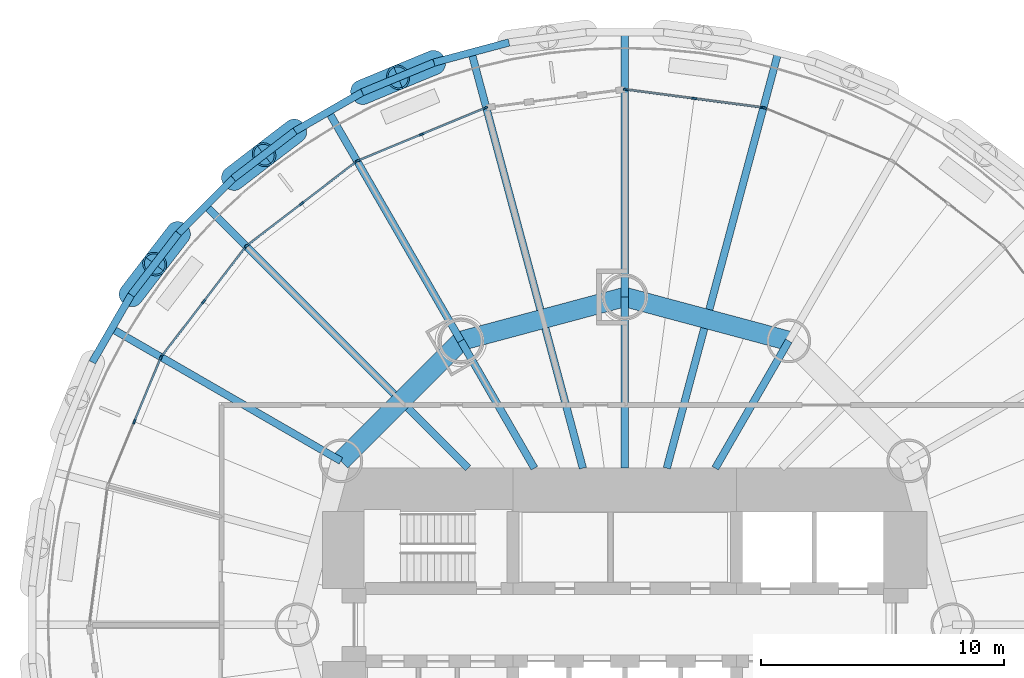
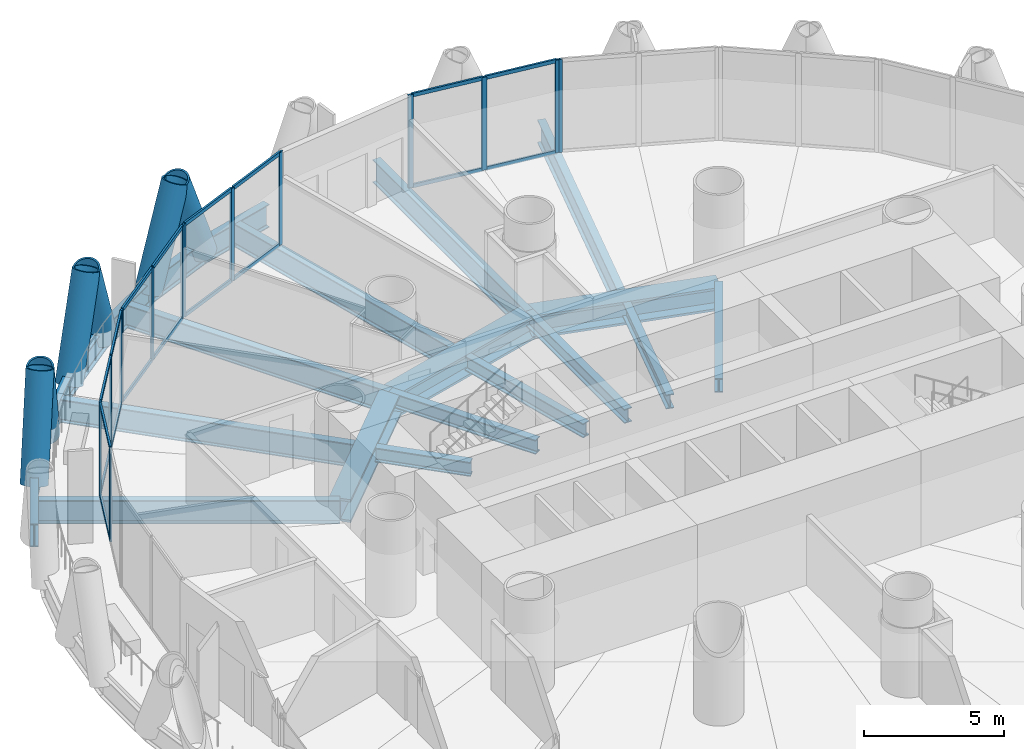
# One storey, part 6 of 16: 39 members, 22 beams, 6 elements without a shape of their own.
"""IFC4 building model written with IfcOpenShell, lengths in metres."""

from ifc_helpers import new_model, si_unit, direction, frame, origin, origin_2d, place, context, subcontext, project, spatial, rectangle, hollow_circle, i_section, extrude, material, material_profile, profile_set, type_object, element, aggregate, save


model = new_model("IFC4")

# Units and contexts
model_context = context("Model", 3, precision=1e-05, world=origin(), true_north=direction((0.0, 1.0)))
body_context = subcontext(model_context, "Body", "Model", "MODEL_VIEW")
ifc_project = project(units=[si_unit("LENGTHUNIT", "METRE"), si_unit("AREAUNIT", "SQUARE_METRE"), si_unit("VOLUMEUNIT", "CUBIC_METRE"), si_unit("PLANEANGLEUNIT", "RADIAN"), si_unit("MASSUNIT", "GRAM", prefix="KILO")], contexts=[model_context])

# Site, building, storey
site_placement = place(None, origin())
site = spatial("IfcSite", under=ifc_project, at=site_placement, CompositionType="ELEMENT")
building_placement = place(site_placement, origin())
building = spatial("IfcBuilding", under=site, at=building_placement, Name="Qaws Media Tower", CompositionType="ELEMENT")
storey_placement = place(building_placement, frame((0.0, 0.0, 181.39990234375)))
storey = spatial("IfcBuildingStorey", under=building, at=storey_placement, Name="L41", CompositionType="ELEMENT", Elevation=181.39990234375)

# Curtain wall, member
ifc_material_1 = material(Name="Aluminium and clear glass", Category="aluminium")
curtain_wall_type = type_object("IfcCurtainWallType", Name="Unitised curtain wall CW-B", PredefinedType="NOTDEFINED", material=ifc_material_1)
curtain_wall_1_placement = place(storey_placement, origin())
curtain_wall_1 = element("IfcCurtainWall", 1, at=curtain_wall_1_placement, inside=storey, type_object=curtain_wall_type, Name="CWB curtain wall L41-05", PredefinedType="NOTDEFINED")
ifc_material_2 = material(Name="Aluminium mullion", Category="aluminium")
ifc_material_profile_1 = material_profile(ifc_material_2, rectangle(XDim=0.080078125, YDim=0.199951171875, at=origin_2d()), Name="80x200")
ifc_profile_set_1 = profile_set([ifc_material_profile_1], Name="Aluminium mullion")
member_type_1 = type_object("IfcMemberType", Name="Curtain wall mullion 80x200", PredefinedType="MULLION", material=ifc_profile_set_1)
member_1_placement = place(storey_placement, frame((65.743896484375, 71.283447265625, 0.0), z_axis=(0.0, 0.0, 1.0), x_axis=(-0.382683388877, -0.923879550525, 0.0)))
member_1 = element("IfcMember", 2, at=member_1_placement, type_object=member_type_1, Name="CWB mullion 3", PredefinedType="MULLION", context=body_context, shape_type="SweptSolid", body=[
    extrude(rectangle(XDim=0.080078125, YDim=0.199951171875, at=origin_2d()), origin(), (0.0, 0.0, 1.0), 4.0400390625),
])
aggregate(curtain_wall_1, [member_1])

# Curtain wall, members
curtain_wall_2_placement = place(storey_placement, origin())
curtain_wall_2 = element("IfcCurtainWall", 3, at=curtain_wall_2_placement, inside=storey, type_object=curtain_wall_type, Name="CWB curtain wall L41-06", PredefinedType="NOTDEFINED")
member_2_placement = place(storey_placement, frame((65.667236328125, 71.303955078125, 0.0), z_axis=(0.0, 0.0, 1.0), x_axis=(-0.130526271178, -0.991444850979, 0.0)))
member_2 = element("IfcMember", 4, at=member_2_placement, type_object=member_type_1, Name="CWB mullion 1", PredefinedType="MULLION", context=body_context, shape_type="SweptSolid", body=[
    extrude(rectangle(XDim=0.080078125, YDim=0.199951171875, at=origin_2d()), origin(), (0.0, 0.0, 1.0), 4.0400390625),
])
member_3_placement = place(storey_placement, frame((62.853515625, 71.67431640625, 0.0), z_axis=(0.0, 0.0, 1.0), x_axis=(-0.130526271178, -0.991444850979, 0.0)))
member_3 = element("IfcMember", 5, at=member_3_placement, type_object=member_type_1, Name="CWB mullion 2", PredefinedType="MULLION", context=body_context, shape_type="SweptSolid", body=[
    extrude(rectangle(XDim=0.080078125, YDim=0.199951171875, at=origin_2d()), origin(), (0.0, 0.0, 1.0), 4.0400390625),
])
member_4_placement = place(storey_placement, frame((60.03955078125, 72.044677734375, 0.0), z_axis=(0.0, 0.0, 1.0), x_axis=(-0.130526271178, -0.991444850979, 0.0)))
member_4 = element("IfcMember", 6, at=member_4_placement, type_object=member_type_1, Name="CWB mullion 3", PredefinedType="MULLION", context=body_context, shape_type="SweptSolid", body=[
    extrude(rectangle(XDim=0.080078125, YDim=0.199951171875, at=origin_2d()), origin(), (0.0, 0.0, 1.0), 4.0400390625),
])

curtain_wall_3_placement = place(storey_placement, origin())
curtain_wall_3 = element("IfcCurtainWall", 7, at=curtain_wall_3_placement, inside=storey, type_object=curtain_wall_type, Name="CWB curtain wall L41-08", PredefinedType="NOTDEFINED")
member_5_placement = place(storey_placement, frame((54.256103515625, 71.283447265625, 0.0), z_axis=(0.0, 0.0, 1.0), x_axis=(0.382683388877, -0.923879550525, 0.0)))
member_5 = element("IfcMember", 8, at=member_5_placement, type_object=member_type_1, Name="CWB mullion 1", PredefinedType="MULLION", context=body_context, shape_type="SweptSolid", body=[
    extrude(rectangle(XDim=0.080078125, YDim=0.199951171875, at=origin_2d()), origin(), (0.0, 0.0, 1.0), 4.0400390625),
])
member_6_placement = place(storey_placement, frame((51.634033203125, 70.197265625, 0.0), z_axis=(0.0, 0.0, 1.0), x_axis=(0.382683388877, -0.923879550525, 0.0)))
member_6 = element("IfcMember", 9, at=member_6_placement, type_object=member_type_1, Name="CWB mullion 2", PredefinedType="MULLION", context=body_context, shape_type="SweptSolid", body=[
    extrude(rectangle(XDim=0.080078125, YDim=0.199951171875, at=origin_2d()), origin(), (0.0, 0.0, 1.0), 4.0400390625),
])
member_7_placement = place(storey_placement, frame((49.011962890625, 69.111083984375, 0.0), z_axis=(0.0, 0.0, 1.0), x_axis=(0.382683388877, -0.923879550525, 0.0)))
member_7 = element("IfcMember", 10, at=member_7_placement, type_object=member_type_1, Name="CWB mullion 3", PredefinedType="MULLION", context=body_context, shape_type="SweptSolid", body=[
    extrude(rectangle(XDim=0.080078125, YDim=0.199951171875, at=origin_2d()), origin(), (0.0, 0.0, 1.0), 4.0400390625),
])

curtain_wall_4_placement = place(storey_placement, origin())
curtain_wall_4 = element("IfcCurtainWall", 11, at=curtain_wall_4_placement, inside=storey, type_object=curtain_wall_type, Name="CWB curtain wall L41-09", PredefinedType="NOTDEFINED")
member_8_placement = place(storey_placement, frame((48.943359375, 69.071533203125, 0.0), z_axis=(0.0, 0.0, 1.0), x_axis=(0.608761320465, -0.79335342358, 0.0)))
member_8 = element("IfcMember", 12, at=member_8_placement, type_object=member_type_1, Name="CWB mullion 1", PredefinedType="MULLION", context=body_context, shape_type="SweptSolid", body=[
    extrude(rectangle(XDim=0.080078125, YDim=0.199951171875, at=origin_2d()), origin(), (0.0, 0.0, 1.0), 4.0400390625),
])
member_9_placement = place(storey_placement, frame((46.691650390625, 67.34375, 0.0), z_axis=(0.0, 0.0, 1.0), x_axis=(0.608761320465, -0.79335342358, 0.0)))
member_9 = element("IfcMember", 13, at=member_9_placement, type_object=member_type_1, Name="CWB mullion 2", PredefinedType="MULLION", context=body_context, shape_type="SweptSolid", body=[
    extrude(rectangle(XDim=0.080078125, YDim=0.199951171875, at=origin_2d()), origin(), (0.0, 0.0, 1.0), 4.0400390625),
])
member_10_placement = place(storey_placement, frame((44.43994140625, 65.615966796875, 0.0), z_axis=(0.0, 0.0, 1.0), x_axis=(0.608761320465, -0.79335342358, 0.0)))
member_10 = element("IfcMember", 14, at=member_10_placement, type_object=member_type_1, Name="CWB mullion 3", PredefinedType="MULLION", context=body_context, shape_type="SweptSolid", body=[
    extrude(rectangle(XDim=0.080078125, YDim=0.199951171875, at=origin_2d()), origin(), (0.0, 0.0, 1.0), 4.0400390625),
])

curtain_wall_5_placement = place(storey_placement, origin())
curtain_wall_5 = element("IfcCurtainWall", 15, at=curtain_wall_5_placement, inside=storey, type_object=curtain_wall_type, Name="CWB curtain wall L41-10", PredefinedType="NOTDEFINED")
member_11_placement = place(storey_placement, frame((44.384033203125, 65.56005859375, 0.0), z_axis=(0.0, 0.0, 1.0), x_axis=(0.79335342358, -0.608761320465, 0.0)))
member_11 = element("IfcMember", 16, at=member_11_placement, type_object=member_type_1, Name="CWB mullion 1", PredefinedType="MULLION", context=body_context, shape_type="SweptSolid", body=[
    extrude(rectangle(XDim=0.080078125, YDim=0.199951171875, at=origin_2d()), origin(), (0.0, 0.0, 1.0), 4.0400390625),
])
member_12_placement = place(storey_placement, frame((42.65625, 63.308349609375, 0.0), z_axis=(0.0, 0.0, 1.0), x_axis=(0.79335342358, -0.608761320465, 0.0)))
member_12 = element("IfcMember", 17, at=member_12_placement, type_object=member_type_1, Name="CWB mullion 2", PredefinedType="MULLION", context=body_context, shape_type="SweptSolid", body=[
    extrude(rectangle(XDim=0.080078125, YDim=0.199951171875, at=origin_2d()), origin(), (0.0, 0.0, 1.0), 4.0400390625),
])
member_13_placement = place(storey_placement, frame((40.928466796875, 61.056640625, 0.0), z_axis=(0.0, 0.0, 1.0), x_axis=(0.79335342358, -0.608761320465, 0.0)))
member_13 = element("IfcMember", 18, at=member_13_placement, type_object=member_type_1, Name="CWB mullion 3", PredefinedType="MULLION", context=body_context, shape_type="SweptSolid", body=[
    extrude(rectangle(XDim=0.080078125, YDim=0.199951171875, at=origin_2d()), origin(), (0.0, 0.0, 1.0), 4.0400390625),
])

curtain_wall_6_placement = place(storey_placement, origin())
curtain_wall_6 = element("IfcCurtainWall", 19, at=curtain_wall_6_placement, inside=storey, type_object=curtain_wall_type, Name="CWB curtain wall L41-11", PredefinedType="NOTDEFINED")
member_14_placement = place(storey_placement, frame((40.888916015625, 60.988037109375, 0.0), z_axis=(0.0, 0.0, 1.0), x_axis=(0.923879550525, -0.382683388877, 0.0)))
member_14 = element("IfcMember", 20, at=member_14_placement, type_object=member_type_1, Name="CWB mullion 1", PredefinedType="MULLION", context=body_context, shape_type="SweptSolid", body=[
    extrude(rectangle(XDim=0.080078125, YDim=0.199951171875, at=origin_2d()), origin(), (0.0, 0.0, 1.0), 4.0400390625),
])
member_15_placement = place(storey_placement, frame((39.802734375, 58.365966796875, 0.0), z_axis=(0.0, 0.0, 1.0), x_axis=(0.923879550525, -0.382683388877, 0.0)))
member_15 = element("IfcMember", 21, at=member_15_placement, type_object=member_type_1, Name="CWB mullion 2", PredefinedType="MULLION", context=body_context, shape_type="SweptSolid", body=[
    extrude(rectangle(XDim=0.080078125, YDim=0.199951171875, at=origin_2d()), origin(), (0.0, 0.0, 1.0), 4.0400390625),
])

# Member
ifc_material_3 = material(Name="Aluminium transom", Category="aluminium")
ifc_material_profile_2 = material_profile(ifc_material_3, rectangle(XDim=0.080078125, YDim=0.159912109375, at=origin_2d()), Name="80x160")
ifc_profile_set_2 = profile_set([ifc_material_profile_2], Name="Aluminium transom")
member_type_2 = type_object("IfcMemberType", Name="Curtain wall transom 80x160", PredefinedType="USERDEFINED", material=ifc_profile_set_2)
member_16_placement = place(storey_placement, frame((65.627685546875, 71.30908203125, 0.0400390625), z_axis=(-0.991440732967, 0.130557546748, 0.0), x_axis=(-0.130557546748, -0.991440732967, 0.0)))
member_16 = element("IfcMember", 22, at=member_16_placement, type_object=member_type_2, Name="CWB transom 1.1", ObjectType="TRANSOM", PredefinedType="USERDEFINED", context=body_context, shape_type="SweptSolid", body=[
    extrude(rectangle(XDim=0.080078125, YDim=0.159912109375, at=origin_2d()), origin(), (0.0, 0.0, 1.0), 2.75830078125),
])

member_17_placement = place(storey_placement, frame((65.627685546875, 71.30908203125, 4.0), z_axis=(-0.991440732967, 0.130557546748, 0.0), x_axis=(-0.130557546748, -0.991440732967, 0.0)))
member_17 = element("IfcMember", 23, at=member_17_placement, type_object=member_type_2, Name="CWB transom 1.2", ObjectType="TRANSOM", PredefinedType="USERDEFINED", context=body_context, shape_type="SweptSolid", body=[
    extrude(rectangle(XDim=0.080078125, YDim=0.159912109375, at=origin_2d()), origin(), (0.0, 0.0, 1.0), 2.75830078125),
])

member_18_placement = place(storey_placement, frame((62.813720703125, 71.679443359375, 0.0400390625), z_axis=(-0.991439224031, 0.13056900495, 0.0), x_axis=(-0.13056900495, -0.991439224031, 0.0)))
member_18 = element("IfcMember", 24, at=member_18_placement, type_object=member_type_2, Name="CWB transom 2.1", ObjectType="TRANSOM", PredefinedType="USERDEFINED", context=body_context, shape_type="SweptSolid", body=[
    extrude(rectangle(XDim=0.080078125, YDim=0.159912109375, at=origin_2d()), origin(), (0.0, 0.0, 1.0), 2.758056640625),
])

member_19_placement = place(storey_placement, frame((62.813720703125, 71.679443359375, 4.0), z_axis=(-0.991439224031, 0.13056900495, 0.0), x_axis=(-0.13056900495, -0.991439224031, 0.0)))
member_19 = element("IfcMember", 25, at=member_19_placement, type_object=member_type_2, Name="CWB transom 2.2", ObjectType="TRANSOM", PredefinedType="USERDEFINED", context=body_context, shape_type="SweptSolid", body=[
    extrude(rectangle(XDim=0.080078125, YDim=0.159912109375, at=origin_2d()), origin(), (0.0, 0.0, 1.0), 2.758056640625),
])

aggregate(curtain_wall_2, [member_2, member_3, member_4, member_16, member_17, member_18, member_19])

member_20_placement = place(storey_placement, frame((54.21923828125, 71.26806640625, 0.0400390625), z_axis=(-0.923897092616, -0.382641035771, 0.0), x_axis=(0.382641035771, -0.923897092616, 0.0)))
member_20 = element("IfcMember", 26, at=member_20_placement, type_object=member_type_2, Name="CWB transom 1.1", ObjectType="TRANSOM", PredefinedType="USERDEFINED", context=body_context, shape_type="SweptSolid", body=[
    extrude(rectangle(XDim=0.080078125, YDim=0.159912109375, at=origin_2d()), origin(), (0.0, 0.0, 1.0), 2.75830078125),
])

member_21_placement = place(storey_placement, frame((54.21923828125, 71.26806640625, 4.0), z_axis=(-0.923897092616, -0.382641035771, 0.0), x_axis=(0.382641035771, -0.923897092616, 0.0)))
member_21 = element("IfcMember", 27, at=member_21_placement, type_object=member_type_2, Name="CWB transom 1.2", ObjectType="TRANSOM", PredefinedType="USERDEFINED", context=body_context, shape_type="SweptSolid", body=[
    extrude(rectangle(XDim=0.080078125, YDim=0.159912109375, at=origin_2d()), origin(), (0.0, 0.0, 1.0), 2.75830078125),
])

member_22_placement = place(storey_placement, frame((51.59716796875, 70.181884765625, 0.0400390625), z_axis=(-0.923897092616, -0.382641035771, 0.0), x_axis=(0.382641035771, -0.923897092616, 0.0)))
member_22 = element("IfcMember", 28, at=member_22_placement, type_object=member_type_2, Name="CWB transom 2.1", ObjectType="TRANSOM", PredefinedType="USERDEFINED", context=body_context, shape_type="SweptSolid", body=[
    extrude(rectangle(XDim=0.080078125, YDim=0.159912109375, at=origin_2d()), origin(), (0.0, 0.0, 1.0), 2.75830078125),
])

member_23_placement = place(storey_placement, frame((51.59716796875, 70.181884765625, 4.0), z_axis=(-0.923897092616, -0.382641035771, 0.0), x_axis=(0.382641035771, -0.923897092616, 0.0)))
member_23 = element("IfcMember", 29, at=member_23_placement, type_object=member_type_2, Name="CWB transom 2.2", ObjectType="TRANSOM", PredefinedType="USERDEFINED", context=body_context, shape_type="SweptSolid", body=[
    extrude(rectangle(XDim=0.080078125, YDim=0.159912109375, at=origin_2d()), origin(), (0.0, 0.0, 1.0), 2.75830078125),
])

aggregate(curtain_wall_3, [member_5, member_6, member_7, member_20, member_21, member_22, member_23])

member_24_placement = place(storey_placement, frame((48.91162109375, 69.047119140625, 0.0400390625), z_axis=(-0.793376929066, -0.608730686286, 0.0), x_axis=(0.608730686286, -0.793376929066, 0.0)))
member_24 = element("IfcMember", 30, at=member_24_placement, type_object=member_type_2, Name="CWB transom 1.1", ObjectType="TRANSOM", PredefinedType="USERDEFINED", context=body_context, shape_type="SweptSolid", body=[
    extrude(rectangle(XDim=0.080078125, YDim=0.159912109375, at=origin_2d()), origin(), (0.0, 0.0, 1.0), 2.758056640625),
])

member_25_placement = place(storey_placement, frame((48.91162109375, 69.047119140625, 4.0), z_axis=(-0.793376929066, -0.608730686286, 0.0), x_axis=(0.608730686286, -0.793376929066, 0.0)))
member_25 = element("IfcMember", 31, at=member_25_placement, type_object=member_type_2, Name="CWB transom 1.2", ObjectType="TRANSOM", PredefinedType="USERDEFINED", context=body_context, shape_type="SweptSolid", body=[
    extrude(rectangle(XDim=0.080078125, YDim=0.159912109375, at=origin_2d()), origin(), (0.0, 0.0, 1.0), 2.758056640625),
])

member_26_placement = place(storey_placement, frame((46.659912109375, 67.3193359375, 0.0400390625), z_axis=(-0.793376929066, -0.608730686286, 0.0), x_axis=(0.608730686286, -0.793376929066, 0.0)))
member_26 = element("IfcMember", 32, at=member_26_placement, type_object=member_type_2, Name="CWB transom 2.1", ObjectType="TRANSOM", PredefinedType="USERDEFINED", context=body_context, shape_type="SweptSolid", body=[
    extrude(rectangle(XDim=0.080078125, YDim=0.159912109375, at=origin_2d()), origin(), (0.0, 0.0, 1.0), 2.758056640625),
])

member_27_placement = place(storey_placement, frame((46.659912109375, 67.3193359375, 4.0), z_axis=(-0.793376929066, -0.608730686286, 0.0), x_axis=(0.608730686286, -0.793376929066, 0.0)))
member_27 = element("IfcMember", 33, at=member_27_placement, type_object=member_type_2, Name="CWB transom 2.2", ObjectType="TRANSOM", PredefinedType="USERDEFINED", context=body_context, shape_type="SweptSolid", body=[
    extrude(rectangle(XDim=0.080078125, YDim=0.159912109375, at=origin_2d()), origin(), (0.0, 0.0, 1.0), 2.758056640625),
])

aggregate(curtain_wall_4, [member_8, member_9, member_10, member_24, member_25, member_26, member_27])

member_28_placement = place(storey_placement, frame((44.359619140625, 65.5283203125, 0.0400390625), z_axis=(-0.608730686286, -0.793376929066, 0.0), x_axis=(0.793376929066, -0.608730686286, 0.0)))
member_28 = element("IfcMember", 34, at=member_28_placement, type_object=member_type_2, Name="CWB transom 1.1", ObjectType="TRANSOM", PredefinedType="USERDEFINED", context=body_context, shape_type="SweptSolid", body=[
    extrude(rectangle(XDim=0.080078125, YDim=0.159912109375, at=origin_2d()), origin(), (0.0, 0.0, 1.0), 2.758056640625),
])

member_29_placement = place(storey_placement, frame((44.359619140625, 65.5283203125, 4.0), z_axis=(-0.608730686286, -0.793376929066, 0.0), x_axis=(0.793376929066, -0.608730686286, 0.0)))
member_29 = element("IfcMember", 35, at=member_29_placement, type_object=member_type_2, Name="CWB transom 1.2", ObjectType="TRANSOM", PredefinedType="USERDEFINED", context=body_context, shape_type="SweptSolid", body=[
    extrude(rectangle(XDim=0.080078125, YDim=0.159912109375, at=origin_2d()), origin(), (0.0, 0.0, 1.0), 2.758056640625),
])

member_30_placement = place(storey_placement, frame((42.6318359375, 63.276611328125, 0.0400390625), z_axis=(-0.608730686286, -0.793376929066, 0.0), x_axis=(0.793376929066, -0.608730686286, 0.0)))
member_30 = element("IfcMember", 36, at=member_30_placement, type_object=member_type_2, Name="CWB transom 2.1", ObjectType="TRANSOM", PredefinedType="USERDEFINED", context=body_context, shape_type="SweptSolid", body=[
    extrude(rectangle(XDim=0.080078125, YDim=0.159912109375, at=origin_2d()), origin(), (0.0, 0.0, 1.0), 2.758056640625),
])

member_31_placement = place(storey_placement, frame((42.6318359375, 63.276611328125, 4.0), z_axis=(-0.608730686286, -0.793376929066, 0.0), x_axis=(0.793376929066, -0.608730686286, 0.0)))
member_31 = element("IfcMember", 37, at=member_31_placement, type_object=member_type_2, Name="CWB transom 2.2", ObjectType="TRANSOM", PredefinedType="USERDEFINED", context=body_context, shape_type="SweptSolid", body=[
    extrude(rectangle(XDim=0.080078125, YDim=0.159912109375, at=origin_2d()), origin(), (0.0, 0.0, 1.0), 2.758056640625),
])

aggregate(curtain_wall_5, [member_11, member_12, member_13, member_28, member_29, member_30, member_31])

member_32_placement = place(storey_placement, frame((40.87353515625, 60.951171875, 0.0400390625), z_axis=(-0.382641035771, -0.923897092616, 0.0), x_axis=(0.923897092616, -0.382641035771, 0.0)))
member_32 = element("IfcMember", 38, at=member_32_placement, type_object=member_type_2, Name="CWB transom 1.1", ObjectType="TRANSOM", PredefinedType="USERDEFINED", context=body_context, shape_type="SweptSolid", body=[
    extrude(rectangle(XDim=0.080078125, YDim=0.159912109375, at=origin_2d()), origin(), (0.0, 0.0, 1.0), 2.75830078125),
])

member_33_placement = place(storey_placement, frame((40.87353515625, 60.951171875, 4.0), z_axis=(-0.382641035771, -0.923897092616, 0.0), x_axis=(0.923897092616, -0.382641035771, 0.0)))
member_33 = element("IfcMember", 39, at=member_33_placement, type_object=member_type_2, Name="CWB transom 1.2", ObjectType="TRANSOM", PredefinedType="USERDEFINED", context=body_context, shape_type="SweptSolid", body=[
    extrude(rectangle(XDim=0.080078125, YDim=0.159912109375, at=origin_2d()), origin(), (0.0, 0.0, 1.0), 2.75830078125),
])

aggregate(curtain_wall_6, [member_14, member_15, member_32, member_33])

# Members
ifc_material_4 = material(Name="Steel S460", Category="steel")
ifc_material_profile_3 = material_profile(ifc_material_4, hollow_circle(Radius=0.508056640625, WallThickness=0.070068359375, at=origin_2d()), Name="CHS 1016x70")
ifc_profile_set_3 = profile_set([ifc_material_profile_3], Name="Steel S460")
member_type_3 = type_object("IfcMemberType", Name="Diagrid member CHS 1016x70", PredefinedType="USERDEFINED", material=ifc_profile_set_3)
for number, where, z_axis, x_axis, name in (
    (40, (52.140869140625, 73.15234375, -0.663818359375), (-0.346608267327, -0.142936555494, 0.927055473057), (0.3812412175, -0.924475599504, 0.0), "DG3 diagrid L41 A08"),
    (41, (46.416259765625, 70.329345703125, -0.663818359375), (-0.29778205683, -0.22777293428, 0.927062747089), (0.60754645004, -0.794284150065, 0.0), "DG3 diagrid L41 A09"),
):
    element("IfcMember", number, at=place(storey_placement, frame(where, z_axis=z_axis, x_axis=x_axis)), inside=storey, type_object=member_type_3, Name=name, ObjectType="DIAGRID", PredefinedType="USERDEFINED", context=body_context, shape_type="SweptSolid", body=[
        extrude(hollow_circle(Radius=0.508056640625, WallThickness=0.070068359375, at=origin_2d()), origin(), (0.0, 0.0, 1.0), 4.264892578125),
    ])
for number, where, z_axis, x_axis, name in (
    (42, (49.18603515625, 71.928466796875, -0.663818359375), (0.346201593662, 0.144021694718, 0.927039485673), (-0.384095011554, 0.923293573084, 0.0), "DG3 diagrid L41 B09"),
    (43, (41.617431640625, 66.12109375, -0.663818359375), (-0.2286838659, -0.297145919371, 0.92704260532), (0.792482086019, -0.609895190454, 0.0), "DG3 diagrid L41 A10"),
    (44, (43.87890625, 68.382568359375, -0.663818359375), (0.297145919371, 0.2286838659, 0.92704260532), (-0.609895190454, 0.792482086019, 0.0), "DG3 diagrid L41 B10"),
):
    element("IfcMember", number, at=place(storey_placement, frame(where, z_axis=z_axis, x_axis=x_axis)), inside=storey, type_object=member_type_3, Name=name, ObjectType="DIAGRID", PredefinedType="USERDEFINED", context=body_context, shape_type="SweptSolid", body=[
        extrude(hollow_circle(Radius=0.508056640625, WallThickness=0.070068359375, at=origin_2d()), origin(), (0.0, 0.0, 1.0), 4.26513671875),
    ])
member_34_placement = place(storey_placement, frame((39.670654296875, 63.583740234375, -0.663818359375), z_axis=(0.22777293428, 0.29778205683, 0.927062747089), x_axis=(-0.794284150065, 0.60754645004, 0.0)))
element("IfcMember", 45, at=member_34_placement, inside=storey, type_object=member_type_3, Name="DG3 diagrid L41 B11", ObjectType="DIAGRID", PredefinedType="USERDEFINED", context=body_context, shape_type="SweptSolid", body=[
    extrude(hollow_circle(Radius=0.508056640625, WallThickness=0.070068359375, at=origin_2d()), origin(), (0.0, 0.0, 1.0), 4.264892578125),
])

# Beams
ifc_material_5 = material(Name="Steel S460", Category="steel")
ifc_material_profile_4 = material_profile(ifc_material_5, i_section(OverallWidth=0.302001953125, OverallDepth=1.008056640625, WebThickness=0.02099609375, FlangeThickness=0.0400390625, FilletRadius=0.030029296875, at=origin_2d()), Name="HE 1000 M")
ifc_profile_set_4 = profile_set([ifc_material_profile_4], Name="Steel S460")
beam_type_1 = type_object("IfcBeamType", Name="Edge ring beam HE 1000 M", PredefinedType="BEAM", material=ifc_profile_set_4)
for number, where, z_axis, x_axis, name in (
    (46, (55.22998046875, 73.980224609375, -0.663818359375), (-0.965913632625, -0.258864548189, 0.0), (0.258864548189, -0.965913632625, 0.0), "RB3 edge ring beam L41-14"),
    (47, (52.140869140625, 73.15234375, -0.663818359375), (-0.923885651932, -0.382668658443, 0.0), (0.382668658443, -0.923885651932, 0.0), "RB3 edge ring beam L41-15"),
    (48, (49.18603515625, 71.928466796875, -0.663818359375), (-0.866026686418, -0.499997778408, 0.0), (0.499997778408, -0.866026686418, 0.0), "RB3 edge ring beam L41-16"),
    (49, (46.416259765625, 70.329345703125, -0.663818359375), (-0.793383917565, -0.608721577857, 0.0), (0.608721577857, -0.793383917565, 0.0), "RB3 edge ring beam L41-17"),
    (50, (43.87890625, 68.382568359375, -0.663818359375), (-0.707106781187, -0.707106781187, 0.0), (0.707106781187, -0.707106781187, 0.0), "RB3 edge ring beam L41-18"),
    (51, (41.617431640625, 66.12109375, -0.663818359375), (-0.608721577857, -0.793383917565, 0.0), (0.793383917565, -0.608721577857, 0.0), "RB3 edge ring beam L41-19"),
    (52, (39.670654296875, 63.583740234375, -0.663818359375), (-0.499997778408, -0.866026686418, 0.0), (0.866026686418, -0.499997778408, 0.0), "RB3 edge ring beam L41-20"),
):
    element("IfcBeam", number, at=place(storey_placement, frame(where, z_axis=z_axis, x_axis=x_axis)), inside=storey, type_object=beam_type_1, Name=name, PredefinedType="BEAM", context=body_context, shape_type="SweptSolid", body=[
        extrude(i_section(OverallWidth=0.302001953125, OverallDepth=1.008056640625, WebThickness=0.02099609375, FlangeThickness=0.0400390625, FilletRadius=0.030029296875, at=origin_2d()), origin(), (0.0, 0.0, 1.0), 3.1982421875),
    ])
ifc_material_6 = material(Name="Steel S460", Category="steel")
ifc_material_profile_5 = material_profile(ifc_material_6, i_section(OverallWidth=0.800048828125, OverallDepth=1.0, WebThickness=0.0400390625, FlangeThickness=0.10009765625, at=origin_2d()), Name="PG 1000x800")
ifc_profile_set_5 = profile_set([ifc_material_profile_5], Name="Steel S460")
beam_type_2 = type_object("IfcBeamType", Name="Inner ring girder PG 1000x800", PredefinedType="BEAM", material=ifc_profile_set_5)
for number, where, z_axis, x_axis, name in (
    (53, (66.75, 61.69140625, -0.659912109375), (-0.965928090778, 0.258810593767, 0.0), (-0.258810593767, -0.965928090778, 0.0), "B3 inner ring beam L41 I03-I04"),
    (54, (60.0, 63.5, -0.659912109375), (-0.965928090778, -0.258810593767, 0.0), (0.258810593767, -0.965928090778, 0.0), "B3 inner ring beam L41 I04-I05"),
):
    element("IfcBeam", number, at=place(storey_placement, frame(where, z_axis=z_axis, x_axis=x_axis)), inside=storey, type_object=beam_type_2, Name=name, PredefinedType="BEAM", context=body_context, shape_type="SweptSolid", body=[
        extrude(i_section(OverallWidth=0.800048828125, OverallDepth=1.0, WebThickness=0.0400390625, FlangeThickness=0.10009765625, at=origin_2d()), origin(), (0.0, 0.0, 1.0), 6.988037109375),
    ])
beam_1_placement = place(storey_placement, frame((53.25, 61.69140625, -0.659912109375), z_axis=(-0.707106781187, -0.707106781187, 0.0), x_axis=(0.707106781187, -0.707106781187, 0.0)))
element("IfcBeam", 55, at=beam_1_placement, inside=storey, type_object=beam_type_2, Name="B3 inner ring beam L41 I05-I06", PredefinedType="BEAM", context=body_context, shape_type="SweptSolid", body=[
    extrude(i_section(OverallWidth=0.800048828125, OverallDepth=1.0, WebThickness=0.0400390625, FlangeThickness=0.10009765625, at=origin_2d()), origin(), (0.0, 0.0, 1.0), 6.98828125),
])
ifc_material_7 = material(Name="Steel S355", Category="steel")
ifc_material_profile_6 = material_profile(ifc_material_7, i_section(OverallWidth=0.302001953125, OverallDepth=1.008056640625, WebThickness=0.02099609375, FlangeThickness=0.0400390625, FilletRadius=0.030029296875, at=origin_2d()), Name="HE 1000 M")
ifc_profile_set_6 = profile_set([ifc_material_profile_6], Name="Steel S355")
beam_type_3 = type_object("IfcBeamType", Name="Radial beam HE 1000 M", PredefinedType="BEAM", material=ifc_profile_set_6)
beam_2_placement = place(storey_placement, frame((63.478515625, 62.98193359375, -0.663818359375), z_axis=(0.258825919743, 0.965923984208, 0.0), x_axis=(-0.965923984208, 0.258825919743, 0.0)))
element("IfcBeam", 56, at=beam_2_placement, inside=storey, type_object=beam_type_3, Name="B1 radial beam L41 06", PredefinedType="BEAM", context=body_context, shape_type="SweptSolid", body=[
    extrude(i_section(OverallWidth=0.302001953125, OverallDepth=1.008056640625, WebThickness=0.02099609375, FlangeThickness=0.0400390625, FilletRadius=0.030029296875, at=origin_2d()), origin(), (0.0, 0.0, 1.0), 10.957763671875),
])
beam_3_placement = place(storey_placement, frame((60.0, 63.5, -0.663818359375), z_axis=(0.0, 1.0, 0.0), x_axis=(-1.0, 0.0, 0.0)))
element("IfcBeam", 57, at=beam_3_placement, inside=storey, type_object=beam_type_3, Name="B1 radial beam L41 07", PredefinedType="BEAM", context=body_context, shape_type="SweptSolid", body=[
    extrude(i_section(OverallWidth=0.302001953125, OverallDepth=1.008056640625, WebThickness=0.02099609375, FlangeThickness=0.0400390625, FilletRadius=0.030029296875, at=origin_2d()), origin(), (0.0, 0.0, 1.0), 10.897705078125),
])
beam_4_placement = place(storey_placement, frame((56.521484375, 62.98193359375, -0.663818359375), z_axis=(-0.258825919743, 0.965923984208, 0.0), x_axis=(-0.965923984208, -0.258825919743, 0.0)))
element("IfcBeam", 58, at=beam_4_placement, inside=storey, type_object=beam_type_3, Name="B1 radial beam L41 08", PredefinedType="BEAM", context=body_context, shape_type="SweptSolid", body=[
    extrude(i_section(OverallWidth=0.302001953125, OverallDepth=1.008056640625, WebThickness=0.02099609375, FlangeThickness=0.0400390625, FilletRadius=0.030029296875, at=origin_2d()), origin(), (0.0, 0.0, 1.0), 10.957763671875),
])
beam_5_placement = place(storey_placement, frame((53.25, 61.69140625, -0.663818359375), z_axis=(-0.49999912617, 0.86602590829, 0.0), x_axis=(-0.86602590829, -0.49999912617, 0.0)))
element("IfcBeam", 59, at=beam_5_placement, inside=storey, type_object=beam_type_3, Name="B1 radial beam L41 09", PredefinedType="BEAM", context=body_context, shape_type="SweptSolid", body=[
    extrude(i_section(OverallWidth=0.302001953125, OverallDepth=1.008056640625, WebThickness=0.02099609375, FlangeThickness=0.0400390625, FilletRadius=0.030029296875, at=origin_2d()), origin(), (0.0, 0.0, 1.0), 10.8974609375),
])
beam_6_placement = place(storey_placement, frame((50.49658203125, 59.50341796875, -0.663818359375), z_axis=(-0.707106781187, 0.707106781187, 0.0), x_axis=(-0.707106781187, -0.707106781187, 0.0)))
element("IfcBeam", 60, at=beam_6_placement, inside=storey, type_object=beam_type_3, Name="B1 radial beam L41 10", PredefinedType="BEAM", context=body_context, shape_type="SweptSolid", body=[
    extrude(i_section(OverallWidth=0.302001953125, OverallDepth=1.008056640625, WebThickness=0.02099609375, FlangeThickness=0.0400390625, FilletRadius=0.030029296875, at=origin_2d()), origin(), (0.0, 0.0, 1.0), 10.957763671875),
])
beam_7_placement = place(storey_placement, frame((48.30859375, 56.75, -0.663818359375), z_axis=(-0.86602590829, 0.49999912617, 0.0), x_axis=(-0.49999912617, -0.86602590829, 0.0)))
element("IfcBeam", 61, at=beam_7_placement, inside=storey, type_object=beam_type_3, Name="B1 radial beam L41 11", PredefinedType="BEAM", context=body_context, shape_type="SweptSolid", body=[
    extrude(i_section(OverallWidth=0.302001953125, OverallDepth=1.008056640625, WebThickness=0.02099609375, FlangeThickness=0.0400390625, FilletRadius=0.030029296875, at=origin_2d()), origin(), (0.0, 0.0, 1.0), 10.8974609375),
])
ifc_material_8 = material(Name="Steel S355", Category="steel")
ifc_material_profile_7 = material_profile(ifc_material_8, i_section(OverallWidth=0.304931640625, OverallDepth=0.6201171875, WebThickness=0.02099609375, FlangeThickness=0.0400390625, FilletRadius=0.027099609375, at=origin_2d()), Name="HE 600 M")
ifc_profile_set_7 = profile_set([ifc_material_profile_7], Name="Steel S355")
beam_type_4 = type_object("IfcBeamType", Name="Radial beam HE 600 M, core side", PredefinedType="BEAM", material=ifc_profile_set_7)
beam_8_placement = place(storey_placement, frame((63.723876953125, 56.449951171875, -0.469970703125), z_axis=(0.499995978368, 0.866027725662, 0.0), x_axis=(-0.866027725662, 0.499995978368, 0.0)))
element("IfcBeam", 62, at=beam_8_placement, inside=storey, type_object=beam_type_4, Name="B2 radial beam L41 05", PredefinedType="BEAM", context=body_context, shape_type="SweptSolid", body=[
    extrude(i_section(OverallWidth=0.304931640625, OverallDepth=0.6201171875, WebThickness=0.02099609375, FlangeThickness=0.0400390625, FilletRadius=0.027099609375, at=origin_2d()), origin(), (0.0, 0.0, 1.0), 6.05224609375),
])
beam_9_placement = place(storey_placement, frame((61.728271484375, 56.449951171875, -0.469970703125), z_axis=(0.258822046006, 0.965925022194, 0.0), x_axis=(-0.965925022194, 0.258822046006, 0.0)))
element("IfcBeam", 63, at=beam_9_placement, inside=storey, type_object=beam_type_4, Name="B2 radial beam L41 06", PredefinedType="BEAM", context=body_context, shape_type="SweptSolid", body=[
    extrude(i_section(OverallWidth=0.304931640625, OverallDepth=0.6201171875, WebThickness=0.02099609375, FlangeThickness=0.0400390625, FilletRadius=0.027099609375, at=origin_2d()), origin(), (0.0, 0.0, 1.0), 5.96240234375),
])
beam_10_placement = place(storey_placement, frame((60.0, 56.449951171875, -0.469970703125), z_axis=(0.0, 1.0, 0.0), x_axis=(-1.0, 0.0, 0.0)))
element("IfcBeam", 64, at=beam_10_placement, inside=storey, type_object=beam_type_4, Name="B2 radial beam L41 07", PredefinedType="BEAM", context=body_context, shape_type="SweptSolid", body=[
    extrude(i_section(OverallWidth=0.304931640625, OverallDepth=0.6201171875, WebThickness=0.02099609375, FlangeThickness=0.0400390625, FilletRadius=0.027099609375, at=origin_2d()), origin(), (0.0, 0.0, 1.0), 7.050048828125),
])
beam_11_placement = place(storey_placement, frame((58.271728515625, 56.449951171875, -0.469970703125), z_axis=(-0.258822046006, 0.965925022194, 0.0), x_axis=(-0.965925022194, -0.258822046006, 0.0)))
element("IfcBeam", 65, at=beam_11_placement, inside=storey, type_object=beam_type_4, Name="B2 radial beam L41 08", PredefinedType="BEAM", context=body_context, shape_type="SweptSolid", body=[
    extrude(i_section(OverallWidth=0.304931640625, OverallDepth=0.6201171875, WebThickness=0.02099609375, FlangeThickness=0.0400390625, FilletRadius=0.027099609375, at=origin_2d()), origin(), (0.0, 0.0, 1.0), 5.96240234375),
])
beam_12_placement = place(storey_placement, frame((56.276123046875, 56.449951171875, -0.469970703125), z_axis=(-0.499995978368, 0.866027725662, 0.0), x_axis=(-0.866027725662, -0.499995978368, 0.0)))
element("IfcBeam", 66, at=beam_12_placement, inside=storey, type_object=beam_type_4, Name="B2 radial beam L41 09", PredefinedType="BEAM", context=body_context, shape_type="SweptSolid", body=[
    extrude(i_section(OverallWidth=0.304931640625, OverallDepth=0.6201171875, WebThickness=0.02099609375, FlangeThickness=0.0400390625, FilletRadius=0.027099609375, at=origin_2d()), origin(), (0.0, 0.0, 1.0), 6.05224609375),
])
beam_13_placement = place(storey_placement, frame((53.550048828125, 56.449951171875, -0.469970703125), z_axis=(-0.707106781187, 0.707106781187, 0.0), x_axis=(-0.707106781187, -0.707106781187, 0.0)))
element("IfcBeam", 67, at=beam_13_placement, inside=storey, type_object=beam_type_4, Name="B2 radial beam L41 10", PredefinedType="BEAM", context=body_context, shape_type="SweptSolid", body=[
    extrude(i_section(OverallWidth=0.304931640625, OverallDepth=0.6201171875, WebThickness=0.02099609375, FlangeThickness=0.0400390625, FilletRadius=0.027099609375, at=origin_2d()), origin(), (0.0, 0.0, 1.0), 3.518310546875),
])

save(model, "model.ifc")
